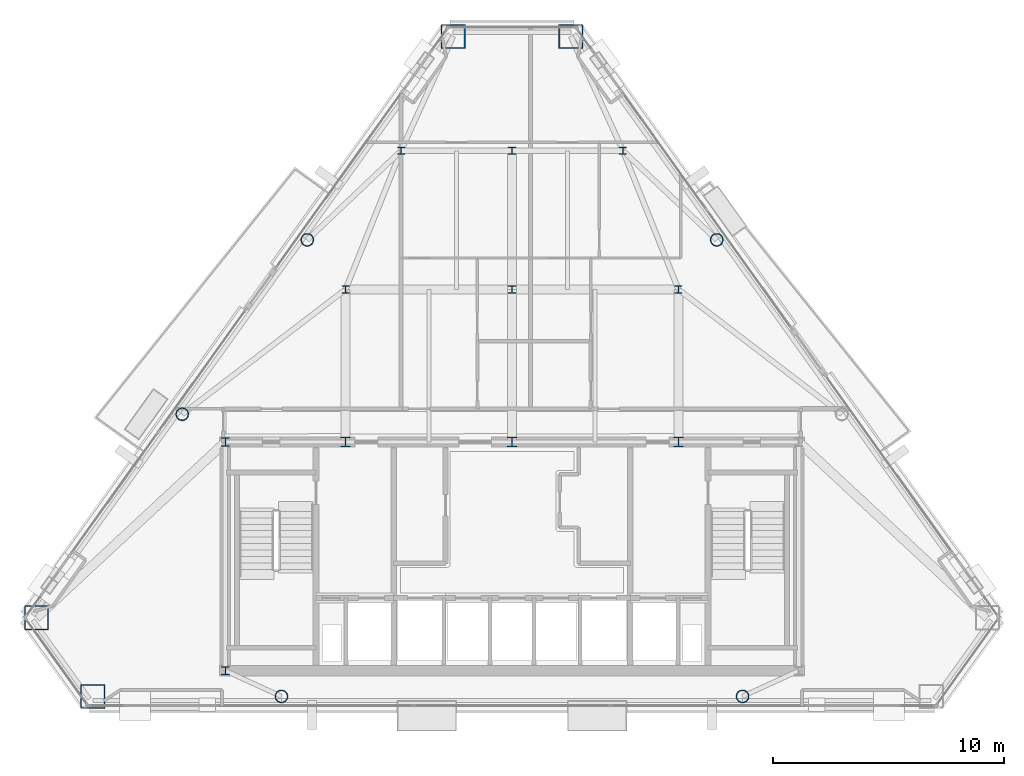
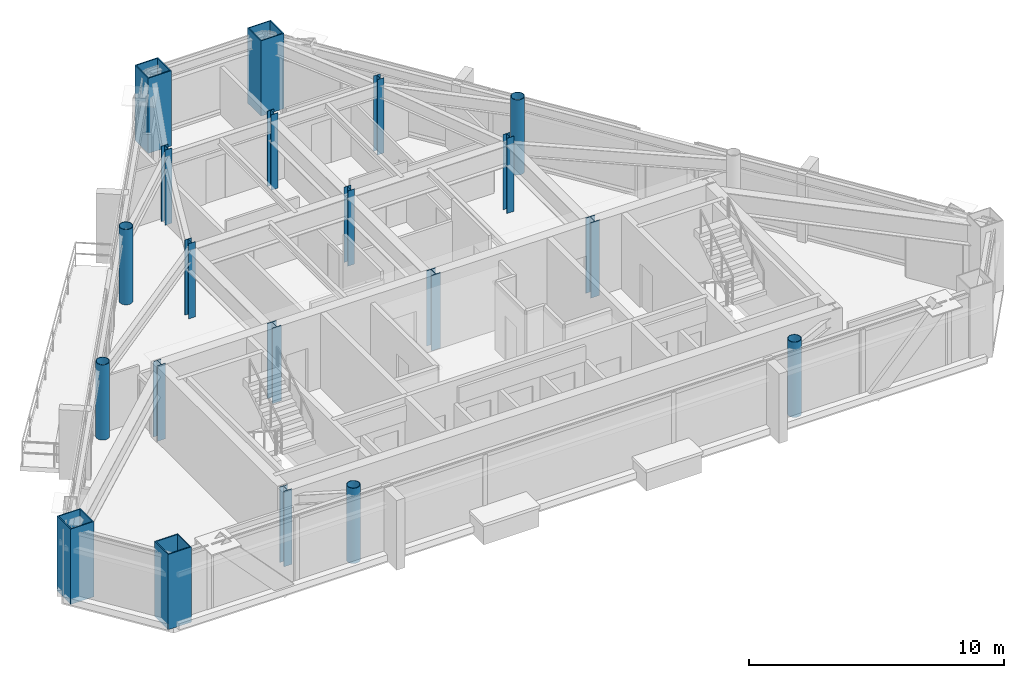
# One storey, part 1 of 11: 20 columns.
"""IFC4 building model written with IfcOpenShell, lengths in metres."""

import ifcopenshell
import ifcopenshell.guid

model = None  # the IFC model being written
_history = None  # IfcOwnerHistory: only IFC2X3 demands one
_inside = {}  # id of a spatial element -> (the spatial element, [elements in it])
_under = {}  # id of a project, library or spatial element -> (it, [spatial elements below it])
_declared = {}  # id of a project -> (the project, [libraries it declares])
_typed = {}  # id of a type object -> (the type object, [elements of that type])
_made_of = {}  # id of a material, layer set ... -> (it, [elements and type objects made of it])


def new_model(schema):
    """Start an empty IFC model of exactly this schema.

    Asked for "IFC4X3", IfcOpenShell would pick the latest addendum, in which some entities
    have other attributes; the version numbers below select the first issue.
    IFC2X3 requires an IfcOwnerHistory on every rooted entity: one is made here for all.
    """
    global model, _history
    if schema == "IFC4X3":
        model = ifcopenshell.file(schema_version=(4, 3, 0, 0))
    else:
        model = ifcopenshell.file(schema=schema)
    _inside.clear()
    _under.clear()
    _declared.clear()
    _typed.clear()
    _made_of.clear()
    _history = None
    if model.schema == "IFC2X3":
        org = make("IfcOrganization", Name="unknown")
        user = make(
            "IfcPersonAndOrganization",
            ThePerson=make("IfcPerson", FamilyName="unknown"),
            TheOrganization=org,
        )
        app = make(
            "IfcApplication",
            ApplicationDeveloper=org,
            Version="unknown",
            ApplicationFullName="unknown",
            ApplicationIdentifier="unknown",
        )
        _history = make(
            "IfcOwnerHistory",
            OwningUser=user,
            OwningApplication=app,
            ChangeAction="ADDED",
            CreationDate=0,
        )
    return model


def make(cls, **values):
    """One entity of the class cls with the attributes given. An attribute that is None is left unset."""
    return model.create_entity(
        cls, **{name: value for name, value in values.items() if value is not None}
    )


def rooted(cls, **values):
    """An entity with a GlobalId (a new one), such as an element, a storey or a relation."""
    return make(cls, GlobalId=ifcopenshell.guid.new(), OwnerHistory=_history, **values)


def si_unit(unit_type, name, prefix=None):
    """IfcSIUnit, for example si_unit("LENGTHUNIT", "METRE", prefix="MILLI")."""
    return make("IfcSIUnit", UnitType=unit_type, Prefix=prefix, Name=name)


def assignment(units):
    """IfcUnitAssignment: the units of a project."""
    return None if units is None else make("IfcUnitAssignment", Units=units)


def point(xyz):
    """IfcCartesianPoint."""
    return None if xyz is None else make("IfcCartesianPoint", Coordinates=xyz)


def direction(xyz):
    """IfcDirection."""
    return None if xyz is None else make("IfcDirection", DirectionRatios=xyz)


def frame(location, z_axis=None, x_axis=None):
    """IfcAxis2Placement3D, a coordinate frame: its origin and axes. An axis left out is left unset."""
    return make(
        "IfcAxis2Placement3D",
        Location=point(location),
        Axis=direction(z_axis),
        RefDirection=direction(x_axis),
    )


def frame_2d(location, x_axis=None):
    """IfcAxis2Placement2D, a coordinate frame in the plane: its origin and x axis."""
    return make(
        "IfcAxis2Placement2D", Location=point(location), RefDirection=direction(x_axis)
    )


def origin():
    """The frame at (0, 0, 0) with its axes left unset."""
    return frame((0.0, 0.0, 0.0))


def origin_2d():
    """The frame at (0, 0) in the plane with its x axis left unset."""
    return frame_2d((0.0, 0.0))


def place(relative_to, where):
    """IfcLocalPlacement: puts the frame where relative to a parent placement (None: the world)."""
    return make(
        "IfcLocalPlacement", PlacementRelTo=relative_to, RelativePlacement=where
    )


def context(
    kind, dimensions, precision=None, world=None, true_north=None, identifier=None
):
    """IfcGeometricRepresentationContext, for example the 3D "Model" context."""
    return make(
        "IfcGeometricRepresentationContext",
        ContextIdentifier=identifier,
        ContextType=kind,
        CoordinateSpaceDimension=dimensions,
        Precision=precision,
        WorldCoordinateSystem=world,
        TrueNorth=true_north,
    )


def subcontext(parent, identifier, kind, view, scale=None):
    """IfcGeometricRepresentationSubContext, for example "Body" below "Model"."""
    return make(
        "IfcGeometricRepresentationSubContext",
        ContextIdentifier=identifier,
        ContextType=kind,
        ParentContext=parent,
        TargetScale=scale,
        TargetView=view,
    )


def project(units=None, contexts=None):
    """IfcProject with its units and contexts."""
    return rooted(
        "IfcProject",
        Name="project",
        RepresentationContexts=contexts,
        UnitsInContext=assignment(units),
    )


def spatial(cls, under=None, at=None, **own):
    """A site, building, storey or space (cls), placed at a placement, below another one or the project."""
    s = rooted(cls, ObjectPlacement=at, **own)
    if under is not None:
        _under.setdefault(under.id(), (under, []))[1].append(s)
    return s


def profile(cls, at=None, kind="AREA", **sizes):
    """A parametric profile (cls). Its sizes go by their IFC names, for example OverallWidth=200.0."""
    return make(cls, ProfileType=kind, Position=at, **sizes)


def hollow_rectangle(**sizes):
    """IfcRectangleHollowProfileDef."""
    return profile("IfcRectangleHollowProfileDef", **sizes)


def hollow_circle(**sizes):
    """IfcCircleHollowProfileDef."""
    return profile("IfcCircleHollowProfileDef", **sizes)


def i_section(**sizes):
    """IfcIShapeProfileDef."""
    return profile("IfcIShapeProfileDef", **sizes)


def extrude(swept, where, along, depth):
    """IfcExtrudedAreaSolid: the profile swept, set in the frame where, extruded along a direction by depth."""
    return make(
        "IfcExtrudedAreaSolid",
        SweptArea=swept,
        Position=where,
        ExtrudedDirection=direction(along),
        Depth=depth,
    )


def shape(context_of_items, identifier, shape_type, items):
    """IfcShapeRepresentation: the items that make up one representation, for example the "Body"."""
    return make(
        "IfcShapeRepresentation",
        ContextOfItems=context_of_items,
        RepresentationIdentifier=identifier,
        RepresentationType=shape_type,
        Items=items,
    )


def material(Name=None, Category=None):
    """IfcMaterial."""
    return make("IfcMaterial", Name=Name, Category=Category)


def material_profile(
    of_material, cross_section, Name=None, Category=None, Priority=None
):
    """IfcMaterialProfile: a cross section and its material."""
    return make(
        "IfcMaterialProfile",
        Name=Name,
        Material=of_material,
        Profile=cross_section,
        Priority=Priority,
        Category=Category,
    )


def profile_set(profiles, Name=None, composite=None):
    """IfcMaterialProfileSet."""
    return make(
        "IfcMaterialProfileSet",
        Name=Name,
        MaterialProfiles=profiles,
        CompositeProfile=composite,
    )


def made_of(thing, what):
    """Note that an element or type object is made of a material, layer set ...; save() writes the relation."""
    if what is not None:
        _made_of.setdefault(what.id(), (what, []))[1].append(thing)
    return thing


def type_object(cls, material=None, **own):
    """A type object (cls), such as IfcWallType, which elements share."""
    return made_of(rooted(cls, **own), material)


def element(
    cls,
    number,
    at=None,
    inside=None,
    cuts=None,
    type_object=None,
    material=None,
    context=None,
    identifier="Body",
    shape_type=None,
    held_by="IfcProductDefinitionShape",
    body=None,
    shapes=None,
    **own,
):
    """One element of the class cls, such as IfcWall. Its Tag is "e" and its number.

    at: its placement. inside: the storey or other place that contains it. cuts: it is an
    opening in that element (IfcRelVoidsElement). A single representation is given by context,
    identifier, shape_type and body (its items); several are given by shapes. held_by: the class
    of the entity that holds the representations. save() writes the other relations.
    """
    e = rooted(cls, Tag="e%d" % number, ObjectPlacement=at, **own)
    if body is not None:
        shapes = [shape(context, identifier, shape_type, body)]
    if shapes is not None:
        e.Representation = make(held_by, Representations=shapes)
    if inside is not None:
        _inside.setdefault(inside.id(), (inside, []))[1].append(e)
    if cuts is not None:
        rooted(
            "IfcRelVoidsElement", RelatingBuildingElement=cuts, RelatedOpeningElement=e
        )
    if type_object is not None:
        _typed.setdefault(type_object.id(), (type_object, []))[1].append(e)
    return made_of(e, material)


def aggregate(whole, parts):
    """IfcRelAggregates: a whole, such as a stair, and the parts it consists of."""
    return rooted("IfcRelAggregates", RelatingObject=whole, RelatedObjects=parts)


def save(model, path):
    """Write the relations noted so far, then the file.

    IfcRelAggregates (storeys below a building ...), IfcRelContainedInSpatialStructure (elements
    in a storey), IfcRelDefinesByType, IfcRelAssociatesMaterial and IfcRelDeclares: one each for
    every whole, place, type object, material and project.
    """
    for whole, parts in _under.values():
        aggregate(whole, parts)
    for where, things in _inside.values():
        rooted(
            "IfcRelContainedInSpatialStructure",
            RelatedElements=things,
            RelatingStructure=where,
        )
    for kind, things in _typed.values():
        rooted("IfcRelDefinesByType", RelatedObjects=things, RelatingType=kind)
    for what, things in _made_of.values():
        rooted("IfcRelAssociatesMaterial", RelatedObjects=things, RelatingMaterial=what)
    for by, libraries in _declared.values():
        rooted("IfcRelDeclares", RelatingContext=by, RelatedDefinitions=libraries)
    model.write(path)


model = new_model("IFC4")

# Units and contexts
model_context = context("Model", 3, precision=1e-05, world=origin(), true_north=direction((0.0, 1.0)))
body_context = subcontext(model_context, "Body", "Model", "MODEL_VIEW")
ifc_project = project(units=[si_unit("LENGTHUNIT", "METRE"), si_unit("AREAUNIT", "SQUARE_METRE"), si_unit("VOLUMEUNIT", "CUBIC_METRE"), si_unit("PLANEANGLEUNIT", "RADIAN"), si_unit("MASSUNIT", "GRAM", prefix="KILO")], contexts=[model_context])

# Site, building, storey
site_placement = place(None, origin())
site = spatial("IfcSite", under=ifc_project, at=site_placement, CompositionType="ELEMENT")
building_placement = place(site_placement, origin())
building = spatial("IfcBuilding", under=site, at=building_placement, Name="Talgorran Terracotta Tower", CompositionType="ELEMENT")
storey_placement = place(building_placement, frame((0.0, 0.0, 240.60009765625)))
storey = spatial("IfcBuildingStorey", under=building, at=storey_placement, Name="L63", CompositionType="ELEMENT", Elevation=240.60009765625)

# Columns
ifc_material_1 = material(Name="Steel S355 (300PLUS)", Category="steel")
ifc_material_profile_1 = material_profile(ifc_material_1, i_section(OverallWidth=0.306884765625, OverallDepth=0.314453125, WebThickness=0.011962890625, FlangeThickness=0.018798828125, at=origin_2d()), Name="310UC118")
ifc_profile_set_1 = profile_set([ifc_material_profile_1], Name="Steel S355 (300PLUS)")
column_type_1 = type_object("IfcColumnType", Name="COL_310UC118", PredefinedType="COLUMN", material=ifc_profile_set_1)
for number, where, z_axis, x_axis, name in (
    (1, (-7.199951171875, 2.39990234375, 0.0), (0.0, 0.0, 1.0), (1.0, 0.0, 0.0), "L63 Interior Gravity Column IC1"),
    (2, (0.0, 2.39990234375, 0.0), (0.0, 0.0, 1.0), (1.0, 0.0, 0.0), "L63 Interior Gravity Column IC2"),
    (3, (7.199951171875, 2.39990234375, 0.0), (0.0, 0.0, 1.0), (1.0, 0.0, 0.0), "L63 Interior Gravity Column IC3"),
    (4, (-4.800048828125, 8.39990234375, 0.0), (0.0, 0.0, 1.0), (1.0, 0.0, 0.0), "L63 Interior Gravity Column IC4"),
    (5, (0.0, 8.39990234375, 0.0), (0.0, 0.0, 1.0), (1.0, 0.0, 0.0), "L63 Interior Gravity Column IC5"),
    (6, (4.800048828125, 8.39990234375, 0.0), (0.0, 0.0, 1.0), (1.0, 0.0, 0.0), "L63 Interior Gravity Column IC6"),
):
    element("IfcColumn", number, at=place(storey_placement, frame(where, z_axis=z_axis, x_axis=x_axis)), inside=storey, type_object=column_type_1, Name=name, PredefinedType="COLUMN", context=body_context, shape_type="SweptSolid", body=[
        extrude(i_section(OverallWidth=0.306884765625, OverallDepth=0.314453125, WebThickness=0.011962890625, FlangeThickness=0.018798828125, at=origin_2d()), origin(), (0.0, 0.0, 1.0), 3.599853515625),
    ])
ifc_material_profile_2 = material_profile(ifc_material_1, i_section(OverallWidth=0.35205078125, OverallDepth=0.35888671875, WebThickness=0.01806640625, FlangeThickness=0.02587890625, at=origin_2d()), Name="350WC197")
ifc_profile_set_2 = profile_set([ifc_material_profile_2], Name="Steel S355 (300PLUS)")
column_type_2 = type_object("IfcColumnType", Name="COL_350WC197", PredefinedType="COLUMN", material=ifc_profile_set_2)
for number, where, z_axis, x_axis, name in (
    (7, (-12.39990234375, -14.10009765625, 0.0), (0.0, 0.0, 1.0), (1.0, 0.0, 0.0), "L63 Core Boundary Column CC1"),
    (8, (-12.39990234375, -4.199951171875, 0.0), (0.0, 0.0, 1.0), (1.0, 0.0, 0.0), "L63 Core Boundary Column CC4"),
):
    element("IfcColumn", number, at=place(storey_placement, frame(where, z_axis=z_axis, x_axis=x_axis)), inside=storey, type_object=column_type_2, Name=name, PredefinedType="COLUMN", context=body_context, shape_type="SweptSolid", body=[
        extrude(i_section(OverallWidth=0.35205078125, OverallDepth=0.35888671875, WebThickness=0.01806640625, FlangeThickness=0.02587890625, at=origin_2d()), origin(), (0.0, 0.0, 1.0), 3.599853515625),
    ])
ifc_material_2 = material(Name="Steel Grade 350 (350L0)", Category="steel")
ifc_material_profile_3 = material_profile(ifc_material_2, hollow_rectangle(XDim=1.050048828125, YDim=1.050048828125, WallThickness=0.044921875, at=origin_2d()), Name="CFT1050X1050X45")
ifc_profile_set_3 = profile_set([ifc_material_profile_3], Name="Steel Grade 350 (350L0)")
column_type_3 = type_object("IfcColumnType", Name="COL_CFT_1050", PredefinedType="COLUMN", material=ifc_profile_set_3)
for number, where, z_axis, x_axis, name in (
    (9, (-20.5791015625, -11.802001953125, 0.0), (0.0, 0.0, 1.0), (1.0, 0.0, 0.0), "L63 Corner CFT Mega-Column MC1"),
    (10, (-18.13720703125, -15.207763671875, 0.0), (0.0, 0.0, 1.0), (1.0, 0.0, 0.0), "L63 Corner CFT Mega-Column MC2"),
    (11, (2.547607421875, 13.3486328125, 0.0), (0.0, 0.0, 1.0), (1.0, 0.0, 0.0), "L63 Corner CFT Mega-Column MC5"),
    (12, (-2.547607421875, 13.3486328125, 0.0), (0.0, 0.0, 1.0), (1.0, 0.0, 0.0), "L63 Corner CFT Mega-Column MC6"),
):
    element("IfcColumn", number, at=place(storey_placement, frame(where, z_axis=z_axis, x_axis=x_axis)), inside=storey, type_object=column_type_3, Name=name, PredefinedType="COLUMN", context=body_context, shape_type="SweptSolid", body=[
        extrude(hollow_rectangle(XDim=1.050048828125, YDim=1.050048828125, WallThickness=0.044921875, at=origin_2d()), origin(), (0.0, 0.0, 1.0), 3.599853515625),
    ])
ifc_material_profile_4 = material_profile(ifc_material_2, hollow_circle(Radius=0.27490234375, WallThickness=0.02392578125, at=origin_2d()), Name="CHS550X24")
ifc_profile_set_4 = profile_set([ifc_material_profile_4], Name="Steel Grade 350 (350L0)")
column_type_4 = type_object("IfcColumnType", Name="COL_CHS_550", PredefinedType="COLUMN", material=ifc_profile_set_4)
for number, where, z_axis, x_axis, name in (
    (13, (-9.9755859375, -15.207763671875, 0.0), (0.0, 0.0, 1.0), (1.0, 0.0, 0.0), "L63 Facet Perimeter Column FC1"),
    (14, (9.9755859375, -15.207763671875, 0.0), (0.0, 0.0, 1.0), (1.0, 0.0, 0.0), "L63 Facet Perimeter Column FC2"),
    (15, (8.8583984375, 4.5458984375, 0.0), (0.0, 0.0, 1.0), (1.0, 0.0, 0.0), "L63 Facet Perimeter Column FC4"),
    (16, (-8.8583984375, 4.5458984375, 0.0), (0.0, 0.0, 1.0), (1.0, 0.0, 0.0), "L63 Facet Perimeter Column FC5"),
    (17, (-14.26806640625, -2.999267578125, 0.0), (0.0, 0.0, 1.0), (1.0, 0.0, 0.0), "L63 Facet Perimeter Column FC6"),
):
    element("IfcColumn", number, at=place(storey_placement, frame(where, z_axis=z_axis, x_axis=x_axis)), inside=storey, type_object=column_type_4, Name=name, PredefinedType="COLUMN", context=body_context, shape_type="SweptSolid", body=[
        extrude(hollow_circle(Radius=0.27490234375, WallThickness=0.02392578125, at=origin_2d()), origin(), (0.0, 0.0, 1.0), 3.599853515625),
    ])
ifc_material_profile_5 = material_profile(ifc_material_1, i_section(OverallWidth=0.405029296875, OverallDepth=0.4140625, WebThickness=0.02197265625, FlangeThickness=0.031982421875, at=origin_2d()), Name="400WC270")
ifc_profile_set_5 = profile_set([ifc_material_profile_5], Name="Steel S355 (300PLUS)")
column_type_5 = type_object("IfcColumnType", Name="COL_PIL_400WC270", PredefinedType="PILASTER", material=ifc_profile_set_5)
for number, where, z_axis, x_axis, name in (
    (18, (-7.199951171875, -4.199951171875, 0.0), (0.0, 0.0, 1.0), (1.0, 0.0, 0.0), "L63 Core Shear Pilaster CP1"),
    (19, (0.0, -4.199951171875, 0.0), (0.0, 0.0, 1.0), (1.0, 0.0, 0.0), "L63 Core Shear Pilaster CP2"),
    (20, (7.199951171875, -4.199951171875, 0.0), (0.0, 0.0, 1.0), (1.0, 0.0, 0.0), "L63 Core Shear Pilaster CP3"),
):
    element("IfcColumn", number, at=place(storey_placement, frame(where, z_axis=z_axis, x_axis=x_axis)), inside=storey, type_object=column_type_5, Name=name, PredefinedType="PILASTER", context=body_context, shape_type="SweptSolid", body=[
        extrude(i_section(OverallWidth=0.405029296875, OverallDepth=0.4140625, WebThickness=0.02197265625, FlangeThickness=0.031982421875, at=origin_2d()), origin(), (0.0, 0.0, 1.0), 3.599853515625),
    ])

save(model, "model.ifc")
